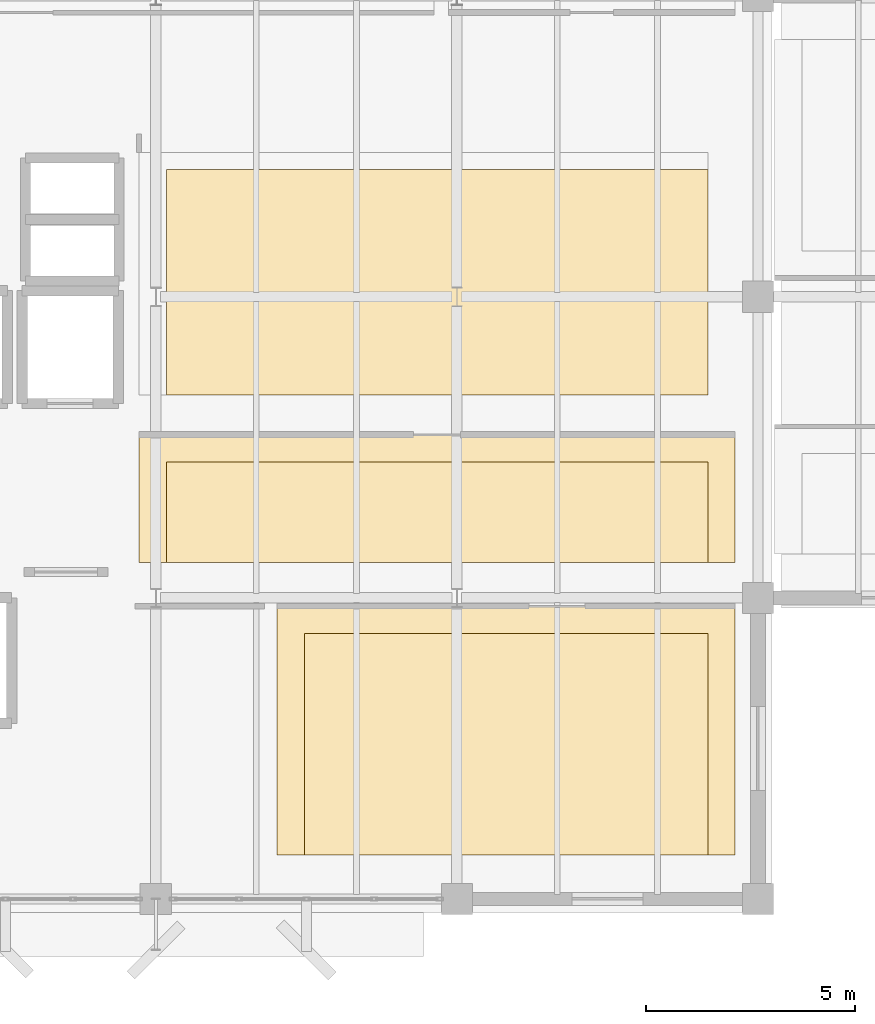
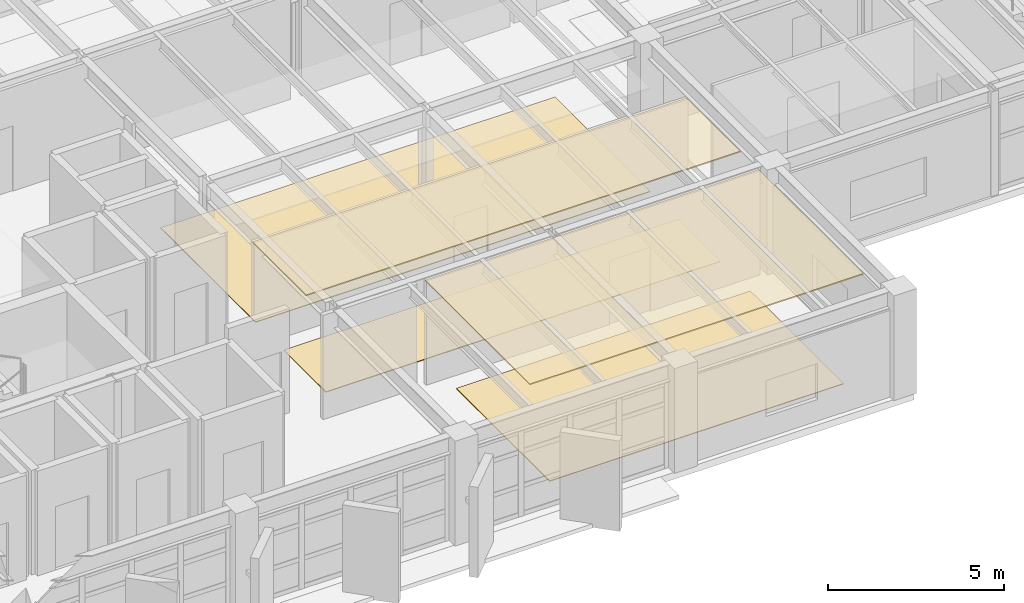
# One storey, part 44 of 48: 5 coverings.
"""IFC4 building model written with IfcOpenShell, lengths in metres."""

from ifc_helpers import new_model, si_unit, direction, frame, origin, place, context, subcontext, project, spatial, polyline, outline, extrude, material, layer, layer_set, type_object, element, save


model = new_model("IFC4")

# Units and contexts
model_context = context("Model", 3, precision=1e-05, world=origin(), true_north=direction((0.0, 1.0)))
body_context = subcontext(model_context, "Body", "Model", "MODEL_VIEW")
ifc_project = project(units=[si_unit("LENGTHUNIT", "METRE"), si_unit("AREAUNIT", "SQUARE_METRE"), si_unit("VOLUMEUNIT", "CUBIC_METRE"), si_unit("PLANEANGLEUNIT", "RADIAN"), si_unit("MASSUNIT", "GRAM", prefix="KILO")], contexts=[model_context])

# Site, building, storey
site_placement = place(None, origin())
site = spatial("IfcSite", under=ifc_project, at=site_placement, CompositionType="ELEMENT")
building_placement = place(site_placement, origin())
building = spatial("IfcBuilding", under=site, at=building_placement, Name="Kandorven Conservatory and Botanical Research Centre", CompositionType="ELEMENT")
storey_placement = place(building_placement, frame((0.0, 0.0, 13.199951171875)))
storey = spatial("IfcBuildingStorey", under=building, at=storey_placement, Name="L03", CompositionType="ELEMENT", Elevation=13.199951171875)

# Coverings
ifc_material_1 = material(Name="Perforated mineral-fibre acoustic ceiling tile", Category="gypsum")
ifc_layer_1 = layer(ifc_material_1, 0.0400390625)
ifc_layer_set_1 = layer_set([ifc_layer_1], Name="Perforated mineral-fibre acoustic ceiling tile")
covering_type_1 = type_object("IfcCoveringType", Name="Cov_Ceiling_1", PredefinedType="CEILING", material=ifc_layer_set_1)
covering_1_placement = place(storey_placement, frame((0.0, 0.0, 3.574951171875)))
element("IfcCovering", 1, at=covering_1_placement, inside=storey, type_object=covering_type_1, Name="Suspended acoustic ceiling CLG-01 (Plant Pathology Research Laboratory L03)", PredefinedType="CEILING", context=body_context, shape_type="SweptSolid", body=[
    extrude(outline(polyline([(27.199951171875, 14.050048828125), (41.449951171875, 14.050048828125), (41.449951171875, 17.10009765625), (27.199951171875, 17.10009765625), (27.199951171875, 14.050048828125)])), origin(), (0.0, 0.0, 1.0), 0.0400390625),
])
covering_2_placement = place(storey_placement, frame((0.0, 0.0, 3.574951171875)))
element("IfcCovering", 2, at=covering_2_placement, inside=storey, type_object=covering_type_1, Name="Suspended acoustic ceiling CLG-01 (Soil Ecology Research Laboratory L03)", PredefinedType="CEILING", context=body_context, shape_type="SweptSolid", body=[
    extrude(outline(polyline([(30.5, 7.050048828125), (41.449951171875, 7.050048828125), (41.449951171875, 13.0), (30.5, 13.0), (30.5, 7.050048828125)])), origin(), (0.0, 0.0, 1.0), 0.0400390625),
])
ifc_material_2 = material(Name="Honed Kota stone and epoxy laboratory flooring", Category="masonry")
ifc_layer_2 = layer(ifc_material_2, 0.02490234375)
ifc_layer_set_2 = layer_set([ifc_layer_2], Name="Honed Kota stone and epoxy laboratory flooring")
covering_type_2 = type_object("IfcCoveringType", Name="Cov_Flooring_1", PredefinedType="FLOORING", material=ifc_layer_set_2)
covering_3_placement = place(storey_placement, origin())
element("IfcCovering", 3, at=covering_3_placement, inside=storey, type_object=covering_type_2, Name="Floor finish FLR-01 (Plant Pathology Research Laboratory L03)", PredefinedType="FLOORING", context=body_context, shape_type="SweptSolid", body=[
    extrude(outline(polyline([(27.85009765625, 14.050048828125), (40.800048828125, 14.050048828125), (40.800048828125, 16.449951171875), (27.85009765625, 16.449951171875), (27.85009765625, 14.050048828125)])), origin(), (0.0, 0.0, 1.0), 0.025146484375),
])
covering_4_placement = place(storey_placement, origin())
element("IfcCovering", 4, at=covering_4_placement, inside=storey, type_object=covering_type_2, Name="Floor finish FLR-01 (Soil Ecology Research Laboratory L03)", PredefinedType="FLOORING", context=body_context, shape_type="SweptSolid", body=[
    extrude(outline(polyline([(31.14990234375, 7.050048828125), (40.800048828125, 7.050048828125), (40.800048828125, 12.35009765625), (31.14990234375, 12.35009765625), (31.14990234375, 7.050048828125)])), origin(), (0.0, 0.0, 1.0), 0.025146484375),
])
covering_5_placement = place(storey_placement, origin())
element("IfcCovering", 5, at=covering_5_placement, inside=storey, type_object=covering_type_2, Name="Floor finish FLR-01 (Tissue Culture Clean Research Laboratory L03)", PredefinedType="FLOORING", context=body_context, shape_type="SweptSolid", body=[
    extrude(outline(polyline([(27.85009765625, 18.050048828125), (40.800048828125, 18.050048828125), (40.800048828125, 23.449951171875), (27.85009765625, 23.449951171875), (27.85009765625, 18.050048828125)])), origin(), (0.0, 0.0, 1.0), 0.025146484375),
])

save(model, "model.ifc")
